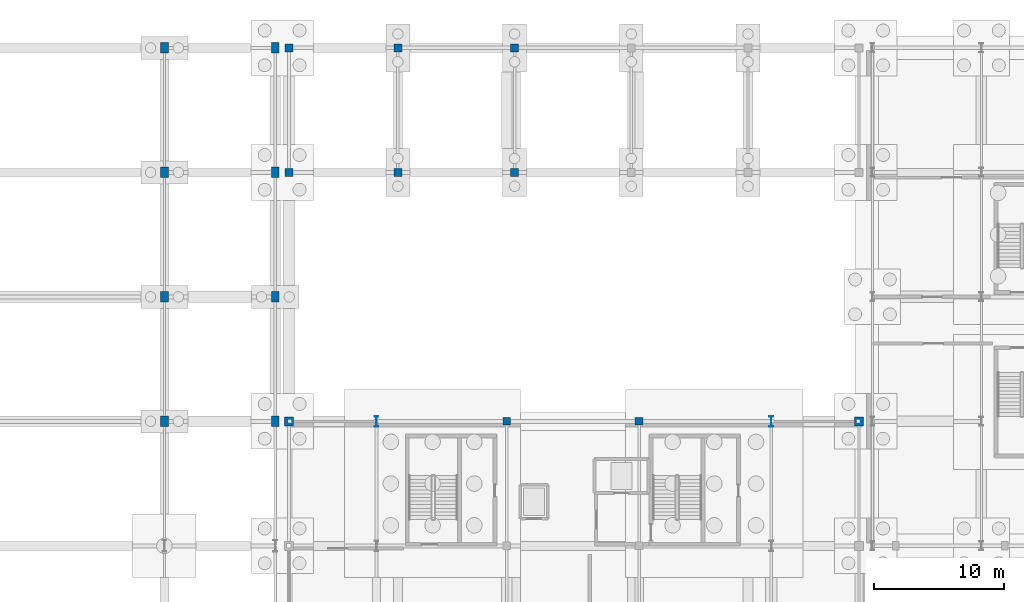
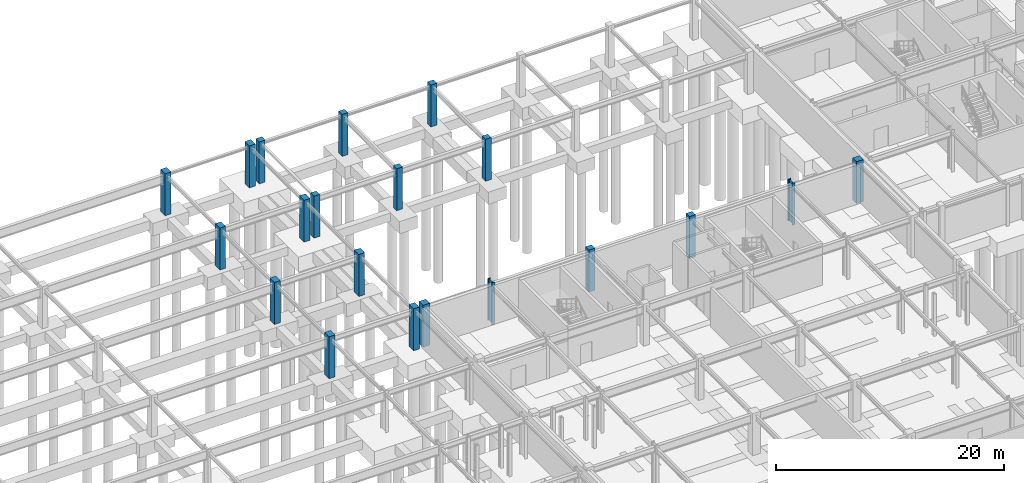
# One storey, part 21 of 59: 20 columns.
"""IFC4 building model written with IfcOpenShell, lengths in metres."""

import ifcopenshell
import ifcopenshell.guid

model = None  # the IFC model being written
_history = None  # IfcOwnerHistory: only IFC2X3 demands one
_inside = {}  # id of a spatial element -> (the spatial element, [elements in it])
_under = {}  # id of a project, library or spatial element -> (it, [spatial elements below it])
_declared = {}  # id of a project -> (the project, [libraries it declares])
_typed = {}  # id of a type object -> (the type object, [elements of that type])
_made_of = {}  # id of a material, layer set ... -> (it, [elements and type objects made of it])


def new_model(schema):
    """Start an empty IFC model of exactly this schema.

    Asked for "IFC4X3", IfcOpenShell would pick the latest addendum, in which some entities
    have other attributes; the version numbers below select the first issue.
    IFC2X3 requires an IfcOwnerHistory on every rooted entity: one is made here for all.
    """
    global model, _history
    if schema == "IFC4X3":
        model = ifcopenshell.file(schema_version=(4, 3, 0, 0))
    else:
        model = ifcopenshell.file(schema=schema)
    _inside.clear()
    _under.clear()
    _declared.clear()
    _typed.clear()
    _made_of.clear()
    _history = None
    if model.schema == "IFC2X3":
        org = make("IfcOrganization", Name="unknown")
        user = make(
            "IfcPersonAndOrganization",
            ThePerson=make("IfcPerson", FamilyName="unknown"),
            TheOrganization=org,
        )
        app = make(
            "IfcApplication",
            ApplicationDeveloper=org,
            Version="unknown",
            ApplicationFullName="unknown",
            ApplicationIdentifier="unknown",
        )
        _history = make(
            "IfcOwnerHistory",
            OwningUser=user,
            OwningApplication=app,
            ChangeAction="ADDED",
            CreationDate=0,
        )
    return model


def make(cls, **values):
    """One entity of the class cls with the attributes given. An attribute that is None is left unset."""
    return model.create_entity(
        cls, **{name: value for name, value in values.items() if value is not None}
    )


def rooted(cls, **values):
    """An entity with a GlobalId (a new one), such as an element, a storey or a relation."""
    return make(cls, GlobalId=ifcopenshell.guid.new(), OwnerHistory=_history, **values)


def si_unit(unit_type, name, prefix=None):
    """IfcSIUnit, for example si_unit("LENGTHUNIT", "METRE", prefix="MILLI")."""
    return make("IfcSIUnit", UnitType=unit_type, Prefix=prefix, Name=name)


def assignment(units):
    """IfcUnitAssignment: the units of a project."""
    return None if units is None else make("IfcUnitAssignment", Units=units)


def point(xyz):
    """IfcCartesianPoint."""
    return None if xyz is None else make("IfcCartesianPoint", Coordinates=xyz)


def direction(xyz):
    """IfcDirection."""
    return None if xyz is None else make("IfcDirection", DirectionRatios=xyz)


def frame(location, z_axis=None, x_axis=None):
    """IfcAxis2Placement3D, a coordinate frame: its origin and axes. An axis left out is left unset."""
    return make(
        "IfcAxis2Placement3D",
        Location=point(location),
        Axis=direction(z_axis),
        RefDirection=direction(x_axis),
    )


def frame_2d(location, x_axis=None):
    """IfcAxis2Placement2D, a coordinate frame in the plane: its origin and x axis."""
    return make(
        "IfcAxis2Placement2D", Location=point(location), RefDirection=direction(x_axis)
    )


def origin():
    """The frame at (0, 0, 0) with its axes left unset."""
    return frame((0.0, 0.0, 0.0))


def origin_2d():
    """The frame at (0, 0) in the plane with its x axis left unset."""
    return frame_2d((0.0, 0.0))


def place(relative_to, where):
    """IfcLocalPlacement: puts the frame where relative to a parent placement (None: the world)."""
    return make(
        "IfcLocalPlacement", PlacementRelTo=relative_to, RelativePlacement=where
    )


def context(
    kind, dimensions, precision=None, world=None, true_north=None, identifier=None
):
    """IfcGeometricRepresentationContext, for example the 3D "Model" context."""
    return make(
        "IfcGeometricRepresentationContext",
        ContextIdentifier=identifier,
        ContextType=kind,
        CoordinateSpaceDimension=dimensions,
        Precision=precision,
        WorldCoordinateSystem=world,
        TrueNorth=true_north,
    )


def subcontext(parent, identifier, kind, view, scale=None):
    """IfcGeometricRepresentationSubContext, for example "Body" below "Model"."""
    return make(
        "IfcGeometricRepresentationSubContext",
        ContextIdentifier=identifier,
        ContextType=kind,
        ParentContext=parent,
        TargetScale=scale,
        TargetView=view,
    )


def project(units=None, contexts=None):
    """IfcProject with its units and contexts."""
    return rooted(
        "IfcProject",
        Name="project",
        RepresentationContexts=contexts,
        UnitsInContext=assignment(units),
    )


def spatial(cls, under=None, at=None, **own):
    """A site, building, storey or space (cls), placed at a placement, below another one or the project."""
    s = rooted(cls, ObjectPlacement=at, **own)
    if under is not None:
        _under.setdefault(under.id(), (under, []))[1].append(s)
    return s


def profile(cls, at=None, kind="AREA", **sizes):
    """A parametric profile (cls). Its sizes go by their IFC names, for example OverallWidth=200.0."""
    return make(cls, ProfileType=kind, Position=at, **sizes)


def rectangle(**sizes):
    """IfcRectangleProfileDef."""
    return profile("IfcRectangleProfileDef", **sizes)


def i_section(**sizes):
    """IfcIShapeProfileDef."""
    return profile("IfcIShapeProfileDef", **sizes)


def extrude(swept, where, along, depth):
    """IfcExtrudedAreaSolid: the profile swept, set in the frame where, extruded along a direction by depth."""
    return make(
        "IfcExtrudedAreaSolid",
        SweptArea=swept,
        Position=where,
        ExtrudedDirection=direction(along),
        Depth=depth,
    )


def shape(context_of_items, identifier, shape_type, items):
    """IfcShapeRepresentation: the items that make up one representation, for example the "Body"."""
    return make(
        "IfcShapeRepresentation",
        ContextOfItems=context_of_items,
        RepresentationIdentifier=identifier,
        RepresentationType=shape_type,
        Items=items,
    )


def material(Name=None, Category=None):
    """IfcMaterial."""
    return make("IfcMaterial", Name=Name, Category=Category)


def material_profile(
    of_material, cross_section, Name=None, Category=None, Priority=None
):
    """IfcMaterialProfile: a cross section and its material."""
    return make(
        "IfcMaterialProfile",
        Name=Name,
        Material=of_material,
        Profile=cross_section,
        Priority=Priority,
        Category=Category,
    )


def profile_set(profiles, Name=None, composite=None):
    """IfcMaterialProfileSet."""
    return make(
        "IfcMaterialProfileSet",
        Name=Name,
        MaterialProfiles=profiles,
        CompositeProfile=composite,
    )


def made_of(thing, what):
    """Note that an element or type object is made of a material, layer set ...; save() writes the relation."""
    if what is not None:
        _made_of.setdefault(what.id(), (what, []))[1].append(thing)
    return thing


def type_object(cls, material=None, **own):
    """A type object (cls), such as IfcWallType, which elements share."""
    return made_of(rooted(cls, **own), material)


def element(
    cls,
    number,
    at=None,
    inside=None,
    cuts=None,
    type_object=None,
    material=None,
    context=None,
    identifier="Body",
    shape_type=None,
    held_by="IfcProductDefinitionShape",
    body=None,
    shapes=None,
    **own,
):
    """One element of the class cls, such as IfcWall. Its Tag is "e" and its number.

    at: its placement. inside: the storey or other place that contains it. cuts: it is an
    opening in that element (IfcRelVoidsElement). A single representation is given by context,
    identifier, shape_type and body (its items); several are given by shapes. held_by: the class
    of the entity that holds the representations. save() writes the other relations.
    """
    e = rooted(cls, Tag="e%d" % number, ObjectPlacement=at, **own)
    if body is not None:
        shapes = [shape(context, identifier, shape_type, body)]
    if shapes is not None:
        e.Representation = make(held_by, Representations=shapes)
    if inside is not None:
        _inside.setdefault(inside.id(), (inside, []))[1].append(e)
    if cuts is not None:
        rooted(
            "IfcRelVoidsElement", RelatingBuildingElement=cuts, RelatedOpeningElement=e
        )
    if type_object is not None:
        _typed.setdefault(type_object.id(), (type_object, []))[1].append(e)
    return made_of(e, material)


def aggregate(whole, parts):
    """IfcRelAggregates: a whole, such as a stair, and the parts it consists of."""
    return rooted("IfcRelAggregates", RelatingObject=whole, RelatedObjects=parts)


def save(model, path):
    """Write the relations noted so far, then the file.

    IfcRelAggregates (storeys below a building ...), IfcRelContainedInSpatialStructure (elements
    in a storey), IfcRelDefinesByType, IfcRelAssociatesMaterial and IfcRelDeclares: one each for
    every whole, place, type object, material and project.
    """
    for whole, parts in _under.values():
        aggregate(whole, parts)
    for where, things in _inside.values():
        rooted(
            "IfcRelContainedInSpatialStructure",
            RelatedElements=things,
            RelatingStructure=where,
        )
    for kind, things in _typed.values():
        rooted("IfcRelDefinesByType", RelatedObjects=things, RelatingType=kind)
    for what, things in _made_of.values():
        rooted("IfcRelAssociatesMaterial", RelatedObjects=things, RelatingMaterial=what)
    for by, libraries in _declared.values():
        rooted("IfcRelDeclares", RelatingContext=by, RelatedDefinitions=libraries)
    model.write(path)


model = new_model("IFC4")

# Units and contexts
model_context = context("Model", 3, precision=1e-05, world=origin(), true_north=direction((0.0, 1.0)))
body_context = subcontext(model_context, "Body", "Model", "MODEL_VIEW")
ifc_project = project(units=[si_unit("LENGTHUNIT", "METRE"), si_unit("AREAUNIT", "SQUARE_METRE"), si_unit("VOLUMEUNIT", "CUBIC_METRE"), si_unit("PLANEANGLEUNIT", "RADIAN"), si_unit("MASSUNIT", "GRAM", prefix="KILO")], contexts=[model_context])

# Site, building, storey
site_placement = place(None, origin())
site = spatial("IfcSite", under=ifc_project, at=site_placement, CompositionType="ELEMENT")
building_placement = place(site_placement, origin())
building = spatial("IfcBuilding", under=site, at=building_placement, Name="Myrtia Square Station", CompositionType="ELEMENT")
storey_placement = place(building_placement, frame((0.0, 0.0, -4.5)))
storey = spatial("IfcBuildingStorey", under=building, at=storey_placement, Name="B01", CompositionType="ELEMENT", Elevation=-4.5)

# Columns
ifc_material_1 = material(Name="Steel S355", Category="steel")
ifc_material_profile_1 = material_profile(ifc_material_1, i_section(OverallWidth=0.300048828125, OverallDepth=0.800048828125, WebThickness=0.017578125, FlangeThickness=0.032958984375, FilletRadius=0.030029296875, at=origin_2d()), Name="HEB 800")
ifc_profile_set_1 = profile_set([ifc_material_profile_1], Name="Steel S355")
column_type_1 = type_object("IfcColumnType", Name="COL-HEB800", PredefinedType="COLUMN", material=ifc_profile_set_1)
for number, where, z_axis, x_axis, name in (
    (1, (79.35009765625, 96.0, 0.0), (0.0, 0.0, 1.0), (1.0, 0.0, 0.0), "Column B01-0405"),
    (2, (109.800048828125, 96.0, 0.0), (0.0, 0.0, 1.0), (1.0, 0.0, 0.0), "Column B01-0411"),
):
    element("IfcColumn", number, at=place(storey_placement, frame(where, z_axis=z_axis, x_axis=x_axis)), inside=storey, type_object=column_type_1, Name=name, PredefinedType="COLUMN", context=body_context, shape_type="SweptSolid", body=[
        extrude(i_section(OverallWidth=0.300048828125, OverallDepth=0.800048828125, WebThickness=0.017578125, FlangeThickness=0.032958984375, FilletRadius=0.030029296875, at=origin_2d()), origin(), (0.0, 0.0, 1.0), 4.5),
    ])
ifc_material_2 = material(Name="Concrete C40/50", Category="concrete")
ifc_material_profile_2 = material_profile(ifc_material_2, rectangle(XDim=0.60009765625, YDim=0.60009765625, at=origin_2d()), Name="RC 600x600")
ifc_profile_set_2 = profile_set([ifc_material_profile_2], Name="Concrete C40/50")
column_type_2 = type_object("IfcColumnType", Name="COL-RC600", PredefinedType="COLUMN", material=ifc_profile_set_2)
for number, where, z_axis, x_axis, name in (
    (3, (89.39990234375, 96.0, 0.0), (0.0, 0.0, 1.0), (1.0, 0.0, 0.0), "Column B01-0444"),
    (4, (99.60009765625, 96.0, 0.0), (0.0, 0.0, 1.0), (1.0, 0.0, 0.0), "Column B01-0476"),
    (5, (72.60009765625, 115.199951171875, 0.0), (0.0, 0.0, 1.0), (1.0, 0.0, 0.0), "Column B01-0735"),
    (6, (72.60009765625, 124.800048828125, 0.0), (0.0, 0.0, 1.0), (1.0, 0.0, 0.0), "Column B01-0737"),
    (7, (81.0, 115.199951171875, 0.0), (0.0, 0.0, 1.0), (1.0, 0.0, 0.0), "Column B01-0739"),
    (8, (81.0, 124.800048828125, 0.0), (0.0, 0.0, 1.0), (1.0, 0.0, 0.0), "Column B01-0741"),
    (9, (90.0, 115.199951171875, 0.0), (0.0, 0.0, 1.0), (1.0, 0.0, 0.0), "Column B01-0743"),
    (10, (90.0, 124.800048828125, 0.0), (0.0, 0.0, 1.0), (1.0, 0.0, 0.0), "Column B01-0745"),
):
    element("IfcColumn", number, at=place(storey_placement, frame(where, z_axis=z_axis, x_axis=x_axis)), inside=storey, type_object=column_type_2, Name=name, PredefinedType="COLUMN", context=body_context, shape_type="SweptSolid", body=[
        extrude(rectangle(XDim=0.60009765625, YDim=0.60009765625, at=origin_2d()), origin(), (0.0, 0.0, 1.0), 4.5),
    ])
ifc_material_profile_3 = material_profile(ifc_material_2, rectangle(XDim=0.60009765625, YDim=0.800048828125, at=origin_2d()), Name="RC 600x800")
ifc_profile_set_3 = profile_set([ifc_material_profile_3], Name="Concrete C40/50")
column_type_3 = type_object("IfcColumnType", Name="COL-RC600x800", PredefinedType="COLUMN", material=ifc_profile_set_3)
for number, where, z_axis, x_axis, name in (
    (11, (63.0, 96.0, 0.0), (0.0, 0.0, 1.0), (1.0, 0.0, 0.0), "Column B01-0187"),
    (12, (63.0, 105.60009765625, 0.0), (0.0, 0.0, 1.0), (1.0, 0.0, 0.0), "Column B01-0190"),
    (13, (63.0, 115.199951171875, 0.0), (0.0, 0.0, 1.0), (1.0, 0.0, 0.0), "Column B01-0193"),
    (14, (63.0, 124.800048828125, 0.0), (0.0, 0.0, 1.0), (1.0, 0.0, 0.0), "Column B01-0196"),
    (15, (71.550048828125, 96.0, 0.0), (0.0, 0.0, 1.0), (1.0, 0.0, 0.0), "Column B01-0229"),
    (16, (71.550048828125, 105.60009765625, 0.0), (0.0, 0.0, 1.0), (1.0, 0.0, 0.0), "Column B01-0232"),
    (17, (71.550048828125, 115.199951171875, 0.0), (0.0, 0.0, 1.0), (1.0, 0.0, 0.0), "Column B01-0235"),
    (18, (71.550048828125, 124.800048828125, 0.0), (0.0, 0.0, 1.0), (1.0, 0.0, 0.0), "Column B01-0238"),
):
    element("IfcColumn", number, at=place(storey_placement, frame(where, z_axis=z_axis, x_axis=x_axis)), inside=storey, type_object=column_type_3, Name=name, PredefinedType="COLUMN", context=body_context, shape_type="SweptSolid", body=[
        extrude(rectangle(XDim=0.60009765625, YDim=0.800048828125, at=origin_2d()), origin(), (0.0, 0.0, 1.0), 4.5),
    ])
ifc_material_profile_4 = material_profile(ifc_material_2, rectangle(XDim=0.699951171875, YDim=0.699951171875, at=origin_2d()), Name="RC 700x700")
ifc_profile_set_4 = profile_set([ifc_material_profile_4], Name="Concrete C40/50")
column_type_4 = type_object("IfcColumnType", Name="COL-RC700", PredefinedType="COLUMN", material=ifc_profile_set_4)
for number, where, z_axis, x_axis, name in (
    (19, (72.60009765625, 96.0, 0.0), (0.0, 0.0, 1.0), (1.0, 0.0, 0.0), "Column B01-0395"),
    (20, (116.550048828125, 96.0, 0.0), (0.0, 0.0, 1.0), (1.0, 0.0, 0.0), "Column B01-0400"),
):
    element("IfcColumn", number, at=place(storey_placement, frame(where, z_axis=z_axis, x_axis=x_axis)), inside=storey, type_object=column_type_4, Name=name, PredefinedType="COLUMN", context=body_context, shape_type="SweptSolid", body=[
        extrude(rectangle(XDim=0.699951171875, YDim=0.699951171875, at=origin_2d()), origin(), (0.0, 0.0, 1.0), 4.5),
    ])

save(model, "model.ifc")
